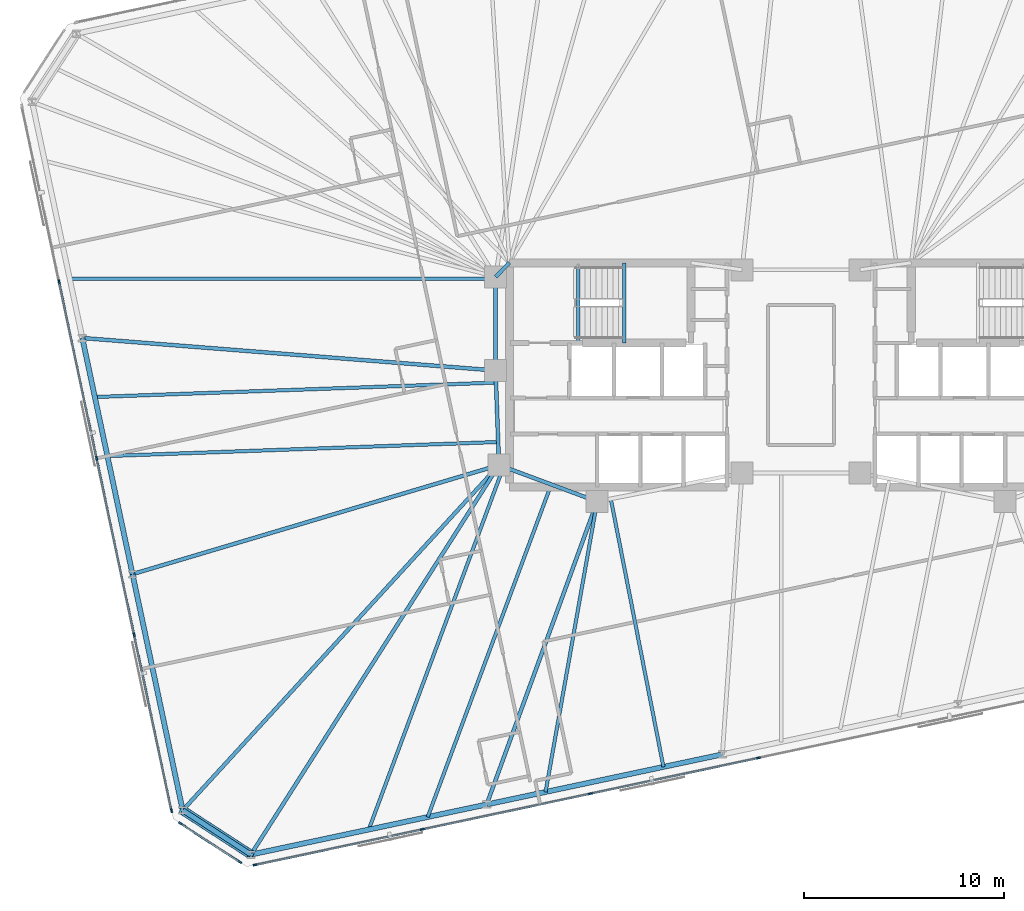
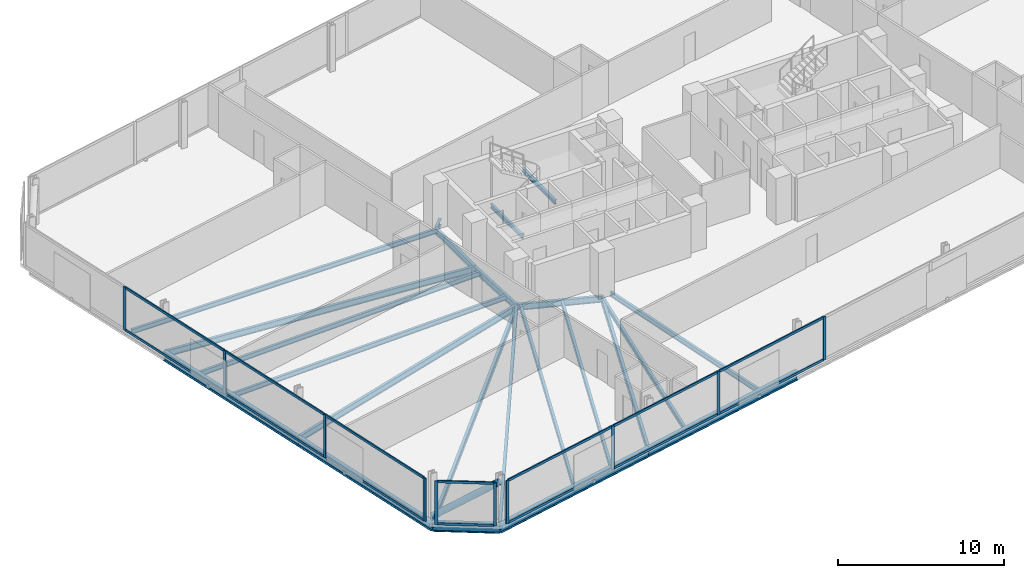
# One storey, part 6 of 19: 25 members, 23 beams, 3 elements without a shape of their own.
"""IFC4 building model written with IfcOpenShell, lengths in metres."""

from ifc_helpers import new_model, si_unit, direction, frame, origin, origin_2d, place, context, subcontext, project, spatial, rectangle, hollow_circle, i_section, extrude, material, material_profile, profile_set, type_object, element, aggregate, save


model = new_model("IFC4")

# Units and contexts
model_context = context("Model", 3, precision=1e-05, world=origin(), true_north=direction((0.0, 1.0)))
body_context = subcontext(model_context, "Body", "Model", "MODEL_VIEW")
ifc_project = project(units=[si_unit("LENGTHUNIT", "METRE"), si_unit("AREAUNIT", "SQUARE_METRE"), si_unit("VOLUMEUNIT", "CUBIC_METRE"), si_unit("PLANEANGLEUNIT", "RADIAN"), si_unit("MASSUNIT", "GRAM", prefix="KILO")], contexts=[model_context])

# Site, building, storey
site_placement = place(None, origin())
site = spatial("IfcSite", under=ifc_project, at=site_placement, CompositionType="ELEMENT")
building_placement = place(site_placement, origin())
building = spatial("IfcBuilding", under=site, at=building_placement, Name="Menara Jurai Vektor", CompositionType="ELEMENT")
storey_placement = place(building_placement, frame((0.0, 0.0, 151.39990234375)))
storey = spatial("IfcBuildingStorey", under=building, at=storey_placement, Name="L38", CompositionType="ELEMENT", Elevation=151.39990234375)

# Curtain wall, members
ifc_material_1 = material(Name="Anodised Pale Aluminium & Low-E Double Glazing", Category="aluminium")
curtain_wall_type = type_object("IfcCurtainWallType", Name="CW-BLK3", PredefinedType="NOTDEFINED", material=ifc_material_1)
curtain_wall_1_placement = place(storey_placement, origin())
curtain_wall_1 = element("IfcCurtainWall", 1, at=curtain_wall_1_placement, inside=storey, type_object=curtain_wall_type, Name="Unitised Curtain Wall L38 F01", PredefinedType="NOTDEFINED")
ifc_material_2 = material(Name="Anodised Pale Aluminium Mullion", Category="aluminium")
ifc_material_profile_1 = material_profile(ifc_material_2, rectangle(XDim=0.0849609375, YDim=0.205078125, at=origin_2d()), Name="ALU MUL 85x205")
ifc_profile_set_1 = profile_set([ifc_material_profile_1], Name="Anodised Pale Aluminium Mullion")
member_type_1 = type_object("IfcMemberType", Name="CW-BLK3-MUL", PredefinedType="MULLION", material=ifc_profile_set_1)
member_1_placement = place(storey_placement, frame((-27.25244140625, -24.462890625, 0.0), z_axis=(0.0, 0.0, 1.0), x_axis=(-0.207911344156, 0.978147674419, 0.0)))
member_1 = element("IfcMember", 2, at=member_1_placement, type_object=member_type_1, Name="CW-03 mullion 1", PredefinedType="MULLION", context=body_context, shape_type="SweptSolid", body=[
    extrude(rectangle(XDim=0.0849609375, YDim=0.205078125, at=origin_2d()), origin(), (0.0, 0.0, 1.0), 3.175048828125),
])
member_2_placement = place(storey_placement, frame((-18.904296875, -22.6884765625, 0.0), z_axis=(0.0, 0.0, 1.0), x_axis=(-0.207911344156, 0.978147674419, 0.0)))
member_2 = element("IfcMember", 3, at=member_2_placement, type_object=member_type_1, Name="CW-03 mullion 2", PredefinedType="MULLION", context=body_context, shape_type="SweptSolid", body=[
    extrude(rectangle(XDim=0.0849609375, YDim=0.205078125, at=origin_2d()), origin(), (0.0, 0.0, 1.0), 3.175048828125),
])
member_3_placement = place(storey_placement, frame((-10.514404296875, -20.905029296875, 0.0), z_axis=(0.0, 0.0, 1.0), x_axis=(-0.207911344156, 0.978147674419, 0.0)))
member_3 = element("IfcMember", 4, at=member_3_placement, type_object=member_type_1, Name="CW-03 mullion 3", PredefinedType="MULLION", context=body_context, shape_type="SweptSolid", body=[
    extrude(rectangle(XDim=0.0849609375, YDim=0.205078125, at=origin_2d()), origin(), (0.0, 0.0, 1.0), 3.175048828125),
])
member_4_placement = place(storey_placement, frame((-2.124755859375, -19.121826171875, 0.0), z_axis=(0.0, 0.0, 1.0), x_axis=(-0.207911344156, 0.978147674419, 0.0)))
member_4 = element("IfcMember", 5, at=member_4_placement, type_object=member_type_1, Name="CW-03 mullion 4", PredefinedType="MULLION", context=body_context, shape_type="SweptSolid", body=[
    extrude(rectangle(XDim=0.0849609375, YDim=0.205078125, at=origin_2d()), origin(), (0.0, 0.0, 1.0), 3.175048828125),
])

curtain_wall_2_placement = place(storey_placement, origin())
curtain_wall_2 = element("IfcCurtainWall", 6, at=curtain_wall_2_placement, inside=storey, type_object=curtain_wall_type, Name="Unitised Curtain Wall L38 F07", PredefinedType="NOTDEFINED")
member_5_placement = place(storey_placement, frame((-37.041259765625, 4.648193359375, 0.0), z_axis=(0.0, 0.0, 1.0), x_axis=(0.978147883949, 0.20791035839, 0.0)))
member_5 = element("IfcMember", 7, at=member_5_placement, type_object=member_type_1, Name="CW-03 mullion 2", PredefinedType="MULLION", context=body_context, shape_type="SweptSolid", body=[
    extrude(rectangle(XDim=0.0849609375, YDim=0.205078125, at=origin_2d()), origin(), (0.0, 0.0, 1.0), 3.175048828125),
])
member_6_placement = place(storey_placement, frame((-35.16796875, -4.1650390625, 0.0), z_axis=(0.0, 0.0, 1.0), x_axis=(0.978147883949, 0.20791035839, 0.0)))
member_6 = element("IfcMember", 8, at=member_6_placement, type_object=member_type_1, Name="CW-03 mullion 3", PredefinedType="MULLION", context=body_context, shape_type="SweptSolid", body=[
    extrude(rectangle(XDim=0.0849609375, YDim=0.205078125, at=origin_2d()), origin(), (0.0, 0.0, 1.0), 3.175048828125),
])
member_7_placement = place(storey_placement, frame((-33.294677734375, -12.978271484375, 0.0), z_axis=(0.0, 0.0, 1.0), x_axis=(0.978147883949, 0.20791035839, 0.0)))
member_7 = element("IfcMember", 9, at=member_7_placement, type_object=member_type_1, Name="CW-03 mullion 4", PredefinedType="MULLION", context=body_context, shape_type="SweptSolid", body=[
    extrude(rectangle(XDim=0.0849609375, YDim=0.205078125, at=origin_2d()), origin(), (0.0, 0.0, 1.0), 3.175048828125),
])
member_8_placement = place(storey_placement, frame((-31.43017578125, -21.749755859375, 0.0), z_axis=(0.0, 0.0, 1.0), x_axis=(0.978147883949, 0.20791035839, 0.0)))
member_8 = element("IfcMember", 10, at=member_8_placement, type_object=member_type_1, Name="CW-03 mullion 5", PredefinedType="MULLION", context=body_context, shape_type="SweptSolid", body=[
    extrude(rectangle(XDim=0.0849609375, YDim=0.205078125, at=origin_2d()), origin(), (0.0, 0.0, 1.0), 3.175048828125),
])

curtain_wall_3_placement = place(storey_placement, origin())
curtain_wall_3 = element("IfcCurtainWall", 11, at=curtain_wall_3_placement, inside=storey, type_object=curtain_wall_type, Name="Unitised Curtain Wall L38 F08", PredefinedType="NOTDEFINED")
member_9_placement = place(storey_placement, frame((-30.988037109375, -22.39306640625, 0.0), z_axis=(0.0, 0.0, 1.0), x_axis=(0.544617794346, 0.838684361415, 0.0)))
member_9 = element("IfcMember", 12, at=member_9_placement, type_object=member_type_1, Name="CW-03 mullion 1", PredefinedType="MULLION", context=body_context, shape_type="SweptSolid", body=[
    extrude(rectangle(XDim=0.0849609375, YDim=0.205078125, at=origin_2d()), origin(), (0.0, 0.0, 1.0), 3.175048828125),
])
member_10_placement = place(storey_placement, frame((-28.02001953125, -24.320556640625, 0.0), z_axis=(0.0, 0.0, 1.0), x_axis=(0.544617794346, 0.838684361415, 0.0)))
member_10 = element("IfcMember", 13, at=member_10_placement, type_object=member_type_1, Name="CW-03 mullion 2", PredefinedType="MULLION", context=body_context, shape_type="SweptSolid", body=[
    extrude(rectangle(XDim=0.0849609375, YDim=0.205078125, at=origin_2d()), origin(), (0.0, 0.0, 1.0), 3.175048828125),
])

# Member
ifc_material_3 = material(Name="Anodised Pale Aluminium Transom", Category="aluminium")
ifc_material_profile_2 = material_profile(ifc_material_3, rectangle(XDim=0.0849609375, YDim=0.175048828125, at=origin_2d()), Name="ALU TRN 85x175")
ifc_profile_set_2 = profile_set([ifc_material_profile_2], Name="Anodised Pale Aluminium Transom")
member_type_2 = type_object("IfcMemberType", Name="CW-BLK3-TRN", PredefinedType="USERDEFINED", material=ifc_profile_set_2)
member_11_placement = place(storey_placement, frame((-27.210693359375, -24.4541015625, 0.04248046875), z_axis=(0.978145704369, 0.207920612313, 0.0), x_axis=(-0.207920612313, 0.978145704369, 0.0)))
member_11 = element("IfcMember", 14, at=member_11_placement, type_object=member_type_2, Name="CW-03 transom 1.1", ObjectType="TRANSOM", PredefinedType="USERDEFINED", context=body_context, shape_type="SweptSolid", body=[
    extrude(rectangle(XDim=0.0849609375, YDim=0.175048828125, at=origin_2d()), origin(), (0.0, 0.0, 1.0), 8.449462890625),
])

member_12_placement = place(storey_placement, frame((-27.210693359375, -24.4541015625, 3.132568359375), z_axis=(0.978145704369, 0.207920612313, 0.0), x_axis=(-0.207920612313, 0.978145704369, 0.0)))
member_12 = element("IfcMember", 15, at=member_12_placement, type_object=member_type_2, Name="CW-03 transom 1.2", ObjectType="TRANSOM", PredefinedType="USERDEFINED", context=body_context, shape_type="SweptSolid", body=[
    extrude(rectangle(XDim=0.0849609375, YDim=0.175048828125, at=origin_2d()), origin(), (0.0, 0.0, 1.0), 8.449462890625),
])

member_13_placement = place(storey_placement, frame((-18.862548828125, -22.6796875, 0.04248046875), z_axis=(0.978146500933, 0.207916864907, 0.0), x_axis=(-0.207916864907, 0.978146500933, 0.0)))
member_13 = element("IfcMember", 16, at=member_13_placement, type_object=member_type_2, Name="CW-03 transom 2.1", ObjectType="TRANSOM", PredefinedType="USERDEFINED", context=body_context, shape_type="SweptSolid", body=[
    extrude(rectangle(XDim=0.0849609375, YDim=0.175048828125, at=origin_2d()), origin(), (0.0, 0.0, 1.0), 8.491943359375),
])

member_14_placement = place(storey_placement, frame((-18.862548828125, -22.6796875, 3.132568359375), z_axis=(0.978146500933, 0.207916864907, 0.0), x_axis=(-0.207916864907, 0.978146500933, 0.0)))
member_14 = element("IfcMember", 17, at=member_14_placement, type_object=member_type_2, Name="CW-03 transom 2.2", ObjectType="TRANSOM", PredefinedType="USERDEFINED", context=body_context, shape_type="SweptSolid", body=[
    extrude(rectangle(XDim=0.0849609375, YDim=0.175048828125, at=origin_2d()), origin(), (0.0, 0.0, 1.0), 8.491943359375),
])

member_15_placement = place(storey_placement, frame((-10.472900390625, -20.896240234375, 0.04248046875), z_axis=(0.978147743708, 0.207911018178, 0.0), x_axis=(-0.207911018178, 0.978147743708, 0.0)))
member_15 = element("IfcMember", 18, at=member_15_placement, type_object=member_type_2, Name="CW-03 transom 3.1", ObjectType="TRANSOM", PredefinedType="USERDEFINED", context=body_context, shape_type="SweptSolid", body=[
    extrude(rectangle(XDim=0.0849609375, YDim=0.175048828125, at=origin_2d()), origin(), (0.0, 0.0, 1.0), 8.4921875),
])

member_16_placement = place(storey_placement, frame((-10.472900390625, -20.896240234375, 3.132568359375), z_axis=(0.978147743708, 0.207911018178, 0.0), x_axis=(-0.207911018178, 0.978147743708, 0.0)))
member_16 = element("IfcMember", 19, at=member_16_placement, type_object=member_type_2, Name="CW-03 transom 3.2", ObjectType="TRANSOM", PredefinedType="USERDEFINED", context=body_context, shape_type="SweptSolid", body=[
    extrude(rectangle(XDim=0.0849609375, YDim=0.175048828125, at=origin_2d()), origin(), (0.0, 0.0, 1.0), 8.4921875),
])

aggregate(curtain_wall_1, [member_1, member_2, member_3, member_4, member_11, member_12, member_13, member_14, member_15, member_16])

member_17_placement = place(storey_placement, frame((-37.032470703125, 4.6064453125, 0.04248046875), z_axis=(0.207922224243, -0.978145361726, 0.0), x_axis=(0.978145361726, 0.207922224243, 0.0)))
member_17 = element("IfcMember", 20, at=member_17_placement, type_object=member_type_2, Name="CW-03 transom 2.1", ObjectType="TRANSOM", PredefinedType="USERDEFINED", context=body_context, shape_type="SweptSolid", body=[
    extrude(rectangle(XDim=0.0849609375, YDim=0.175048828125, at=origin_2d()), origin(), (0.0, 0.0, 1.0), 8.925048828125),
])

member_18_placement = place(storey_placement, frame((-37.032470703125, 4.6064453125, 3.132568359375), z_axis=(0.207922224243, -0.978145361726, 0.0), x_axis=(0.978145361726, 0.207922224243, 0.0)))
member_18 = element("IfcMember", 21, at=member_18_placement, type_object=member_type_2, Name="CW-03 transom 2.2", ObjectType="TRANSOM", PredefinedType="USERDEFINED", context=body_context, shape_type="SweptSolid", body=[
    extrude(rectangle(XDim=0.0849609375, YDim=0.175048828125, at=origin_2d()), origin(), (0.0, 0.0, 1.0), 8.925048828125),
])

member_19_placement = place(storey_placement, frame((-35.1591796875, -4.20654296875, 0.04248046875), z_axis=(0.207922224243, -0.978145361726, 0.0), x_axis=(0.978145361726, 0.207922224243, 0.0)))
member_19 = element("IfcMember", 22, at=member_19_placement, type_object=member_type_2, Name="CW-03 transom 3.1", ObjectType="TRANSOM", PredefinedType="USERDEFINED", context=body_context, shape_type="SweptSolid", body=[
    extrude(rectangle(XDim=0.0849609375, YDim=0.175048828125, at=origin_2d()), origin(), (0.0, 0.0, 1.0), 8.925048828125),
])

member_20_placement = place(storey_placement, frame((-35.1591796875, -4.20654296875, 3.132568359375), z_axis=(0.207922224243, -0.978145361726, 0.0), x_axis=(0.978145361726, 0.207922224243, 0.0)))
member_20 = element("IfcMember", 23, at=member_20_placement, type_object=member_type_2, Name="CW-03 transom 3.2", ObjectType="TRANSOM", PredefinedType="USERDEFINED", context=body_context, shape_type="SweptSolid", body=[
    extrude(rectangle(XDim=0.0849609375, YDim=0.175048828125, at=origin_2d()), origin(), (0.0, 0.0, 1.0), 8.925048828125),
])

member_21_placement = place(storey_placement, frame((-33.285888671875, -13.019775390625, 0.04248046875), z_axis=(0.207925814542, -0.978144598537, 0.0), x_axis=(0.978144598537, 0.207925814542, 0.0)))
member_21 = element("IfcMember", 24, at=member_21_placement, type_object=member_type_2, Name="CW-03 transom 4.1", ObjectType="TRANSOM", PredefinedType="USERDEFINED", context=body_context, shape_type="SweptSolid", body=[
    extrude(rectangle(XDim=0.0849609375, YDim=0.175048828125, at=origin_2d()), origin(), (0.0, 0.0, 1.0), 8.882568359375),
])

member_22_placement = place(storey_placement, frame((-33.285888671875, -13.019775390625, 3.132568359375), z_axis=(0.207925814542, -0.978144598537, 0.0), x_axis=(0.978144598537, 0.207925814542, 0.0)))
member_22 = element("IfcMember", 25, at=member_22_placement, type_object=member_type_2, Name="CW-03 transom 4.2", ObjectType="TRANSOM", PredefinedType="USERDEFINED", context=body_context, shape_type="SweptSolid", body=[
    extrude(rectangle(XDim=0.0849609375, YDim=0.175048828125, at=origin_2d()), origin(), (0.0, 0.0, 1.0), 8.882568359375),
])

aggregate(curtain_wall_2, [member_5, member_6, member_7, member_8, member_17, member_18, member_19, member_20, member_21, member_22])

member_23_placement = place(storey_placement, frame((-30.952392578125, -22.416259765625, 0.04248046875), z_axis=(0.83867770631, -0.54462804274, 0.0), x_axis=(0.54462804274, 0.83867770631, 0.0)))
member_23 = element("IfcMember", 26, at=member_23_placement, type_object=member_type_2, Name="CW-03 transom 1.1", ObjectType="TRANSOM", PredefinedType="USERDEFINED", context=body_context, shape_type="SweptSolid", body=[
    extrude(rectangle(XDim=0.0849609375, YDim=0.175048828125, at=origin_2d()), origin(), (0.0, 0.0, 1.0), 3.453857421875),
])

member_24_placement = place(storey_placement, frame((-30.952392578125, -22.416259765625, 3.132568359375), z_axis=(0.83867770631, -0.54462804274, 0.0), x_axis=(0.54462804274, 0.83867770631, 0.0)))
member_24 = element("IfcMember", 27, at=member_24_placement, type_object=member_type_2, Name="CW-03 transom 1.2", ObjectType="TRANSOM", PredefinedType="USERDEFINED", context=body_context, shape_type="SweptSolid", body=[
    extrude(rectangle(XDim=0.0849609375, YDim=0.175048828125, at=origin_2d()), origin(), (0.0, 0.0, 1.0), 3.453857421875),
])

aggregate(curtain_wall_3, [member_9, member_10, member_23, member_24])

# Beams
ifc_material_4 = material(Name="Steel S355", Category="steel")
ifc_material_profile_3 = material_profile(ifc_material_4, i_section(OverallWidth=0.19091796875, OverallDepth=0.4599609375, WebThickness=0.010009765625, FlangeThickness=0.01611328125, FilletRadius=0.010009765625, at=origin_2d()), Name="UKB 457x191x82")
ifc_profile_set_3 = profile_set([ifc_material_profile_3], Name="Steel S355")
beam_type_1 = type_object("IfcBeamType", Name="STR-BM-457", PredefinedType="BEAM", material=ifc_profile_set_3)
beam_1_placement = place(storey_placement, frame((-15.25, 4.89990234375, -0.454833984375), z_axis=(0.701871936926, 0.712303154672, 0.0), x_axis=(-0.712303154672, 0.701871936926, 0.0)))
element("IfcBeam", 28, at=beam_1_placement, inside=storey, type_object=beam_type_1, Name="Core Ring Header Girder L38-CHW-N1", PredefinedType="BEAM", context=body_context, shape_type="SweptSolid", body=[
    extrude(i_section(OverallWidth=0.19091796875, OverallDepth=0.4599609375, WebThickness=0.010009765625, FlangeThickness=0.01611328125, FilletRadius=0.010009765625, at=origin_2d()), origin(), (0.0, 0.0, 1.0), 0.98291015625),
])
beam_2_placement = place(storey_placement, frame((-15.25, 0.219970703125, -0.454833984375), z_axis=(0.0, 1.0, 0.0), x_axis=(-1.0, 0.0, 0.0)))
element("IfcBeam", 29, at=beam_2_placement, inside=storey, type_object=beam_type_1, Name="Core Ring Header Girder L38-CHW-W1", PredefinedType="BEAM", context=body_context, shape_type="SweptSolid", body=[
    extrude(i_section(OverallWidth=0.19091796875, OverallDepth=0.4599609375, WebThickness=0.010009765625, FlangeThickness=0.01611328125, FilletRadius=0.010009765625, at=origin_2d()), origin(), (0.0, 0.0, 1.0), 4.679931640625),
])
beam_3_placement = place(storey_placement, frame((-15.080078125, -4.5, -0.454833984375), z_axis=(-0.035977314146, 0.999352606874, 0.0), x_axis=(-0.999352606874, -0.035977314146, 0.0)))
element("IfcBeam", 30, at=beam_3_placement, inside=storey, type_object=beam_type_1, Name="Core Ring Header Girder L38-CHW-W2", PredefinedType="BEAM", context=body_context, shape_type="SweptSolid", body=[
    extrude(i_section(OverallWidth=0.19091796875, OverallDepth=0.4599609375, WebThickness=0.010009765625, FlangeThickness=0.01611328125, FilletRadius=0.010009765625, at=origin_2d()), origin(), (0.0, 0.0, 1.0), 4.72314453125),
])
beam_4_placement = place(storey_placement, frame((-15.080078125, -4.5, -0.454833984375), z_axis=(0.937424400887, -0.348188874925, 0.0), x_axis=(0.348188874925, 0.937424400887, 0.0)))
element("IfcBeam", 31, at=beam_4_placement, inside=storey, type_object=beam_type_1, Name="Core Ring Header Girder L38-CHW-S1", PredefinedType="BEAM", context=body_context, shape_type="SweptSolid", body=[
    extrude(i_section(OverallWidth=0.19091796875, OverallDepth=0.4599609375, WebThickness=0.010009765625, FlangeThickness=0.01611328125, FilletRadius=0.010009765625, at=origin_2d()), origin(), (0.0, 0.0, 1.0), 5.227294921875),
])
beam_5_placement = place(storey_placement, frame((-27.46484375, -23.94580078125, -0.454833984375), z_axis=(0.537189280991, 0.843461721946, 0.0), x_axis=(-0.843461721946, 0.537189280991, 0.0)))
element("IfcBeam", 32, at=beam_5_placement, inside=storey, type_object=beam_type_1, Name="Radial Floor Girder L38-S1", PredefinedType="BEAM", context=body_context, shape_type="SweptSolid", body=[
    extrude(i_section(OverallWidth=0.19091796875, OverallDepth=0.4599609375, WebThickness=0.010009765625, FlangeThickness=0.01611328125, FilletRadius=0.010009765625, at=origin_2d()), origin(), (0.0, 0.0, 1.0), 23.0546875),
])
beam_6_placement = place(storey_placement, frame((-15.696533203125, -21.4443359375, -0.454833984375), z_axis=(0.342668294367, 0.939456459893, 0.0), x_axis=(-0.939456459893, 0.342668294367, 0.0)))
element("IfcBeam", 33, at=beam_6_placement, inside=storey, type_object=beam_type_1, Name="Radial Floor Girder L38-S2", PredefinedType="BEAM", context=body_context, shape_type="SweptSolid", body=[
    extrude(i_section(OverallWidth=0.19091796875, OverallDepth=0.4599609375, WebThickness=0.010009765625, FlangeThickness=0.01611328125, FilletRadius=0.010009765625, at=origin_2d()), origin(), (0.0, 0.0, 1.0), 16.098876953125),
])
beam_7_placement = place(storey_placement, frame((-35.8828125, 1.843505859375, -0.454833984375), z_axis=(0.996918476483, -0.078444574364, 0.0), x_axis=(0.078444574364, 0.996918476483, 0.0)))
element("IfcBeam", 34, at=beam_7_placement, inside=storey, type_object=beam_type_1, Name="Radial Floor Girder L38-W2", PredefinedType="BEAM", context=body_context, shape_type="SweptSolid", body=[
    extrude(i_section(OverallWidth=0.19091796875, OverallDepth=0.4599609375, WebThickness=0.010009765625, FlangeThickness=0.01611328125, FilletRadius=0.010009765625, at=origin_2d()), origin(), (0.0, 0.0, 1.0), 20.696533203125),
])
beam_8_placement = place(storey_placement, frame((-33.377197265625, -9.94482421875, -0.454833984375), z_axis=(0.958462775407, 0.285217650505, 0.0), x_axis=(-0.285217650505, 0.958462775407, 0.0)))
element("IfcBeam", 35, at=beam_8_placement, inside=storey, type_object=beam_type_1, Name="Radial Floor Girder L38-W3", PredefinedType="BEAM", context=body_context, shape_type="SweptSolid", body=[
    extrude(i_section(OverallWidth=0.19091796875, OverallDepth=0.4599609375, WebThickness=0.010009765625, FlangeThickness=0.01611328125, FilletRadius=0.010009765625, at=origin_2d()), origin(), (0.0, 0.0, 1.0), 19.090087890625),
])
beam_9_placement = place(storey_placement, frame((-30.871337890625, -21.7333984375, -0.454833984375), z_axis=(0.675584615662, 0.737282460852, 0.0), x_axis=(-0.737282460852, 0.675584615662, 0.0)))
element("IfcBeam", 36, at=beam_9_placement, inside=storey, type_object=beam_type_1, Name="Radial Floor Girder L38-W4", PredefinedType="BEAM", context=body_context, shape_type="SweptSolid", body=[
    extrude(i_section(OverallWidth=0.19091796875, OverallDepth=0.4599609375, WebThickness=0.010009765625, FlangeThickness=0.01611328125, FilletRadius=0.010009765625, at=origin_2d()), origin(), (0.0, 0.0, 1.0), 23.374267578125),
])

# Member
ifc_material_5 = material(Name="Steel S460", Category="steel")
ifc_material_profile_4 = material_profile(ifc_material_5, hollow_circle(Radius=0.228515625, WallThickness=0.01611328125, at=origin_2d()), Name="CHS 457x16")
ifc_profile_set_4 = profile_set([ifc_material_profile_4], Name="Steel S460")
member_type_3 = type_object("IfcMemberType", Name="STR-BR-457", PredefinedType="BRACE", material=ifc_profile_set_4)
member_25_placement = place(storey_placement, frame((-30.871337890625, -21.7333984375, 0.150146484375), z_axis=(0.700402825662, -0.454887866849, 0.5500117366), x_axis=(0.544673525608, 0.838648168484, 0.0)))
element("IfcMember", 37, at=member_25_placement, inside=storey, type_object=member_type_3, Name="Exoskeleton Corner Brace L38-4", PredefinedType="BRACE", context=body_context, shape_type="SweptSolid", body=[
    extrude(hollow_circle(Radius=0.228515625, WallThickness=0.01611328125, at=origin_2d()), origin(), (0.0, 0.0, 1.0), 4.863525390625),
])

# Beams
ifc_material_profile_5 = material_profile(ifc_material_4, i_section(OverallWidth=0.172119140625, OverallDepth=0.35498046875, WebThickness=0.007080078125, FlangeThickness=0.011962890625, FilletRadius=0.010009765625, at=origin_2d()), Name="UKB 356x171x51")
ifc_profile_set_5 = profile_set([ifc_material_profile_5], Name="Steel S355")
beam_type_2 = type_object("IfcBeamType", Name="STR-JS-356", PredefinedType="JOIST", material=ifc_profile_set_5)
beam_10_placement = place(storey_placement, frame((-21.580810546875, -22.695068359375, -0.40234375), z_axis=(0.348190019635, 0.937423975705, 0.0), x_axis=(-0.937423975705, 0.348190019635, 0.0)))
element("IfcBeam", 38, at=beam_10_placement, inside=storey, type_object=beam_type_2, Name="Radial Secondary Floor Joist L38-JS01", PredefinedType="JOIST", context=body_context, shape_type="SweptSolid", body=[
    extrude(i_section(OverallWidth=0.172119140625, OverallDepth=0.35498046875, WebThickness=0.007080078125, FlangeThickness=0.011962890625, FilletRadius=0.010009765625, at=origin_2d()), origin(), (0.0, 0.0, 1.0), 19.320068359375),
])
beam_11_placement = place(storey_placement, frame((-18.638671875, -22.069580078125, -0.40234375), z_axis=(0.348193798412, 0.937422572135, 0.0), x_axis=(-0.937422572135, 0.348193798412, 0.0)))
element("IfcBeam", 39, at=beam_11_placement, inside=storey, type_object=beam_type_2, Name="Radial Secondary Floor Joist L38-JS02", PredefinedType="JOIST", context=body_context, shape_type="SweptSolid", body=[
    extrude(i_section(OverallWidth=0.172119140625, OverallDepth=0.35498046875, WebThickness=0.007080078125, FlangeThickness=0.011962890625, FilletRadius=0.010009765625, at=origin_2d()), origin(), (0.0, 0.0, 1.0), 17.709228515625),
])
beam_12_placement = place(storey_placement, frame((-12.75439453125, -20.819091796875, -0.40234375), z_axis=(0.174826548521, 0.984599247375, 0.0), x_axis=(-0.984599247375, 0.174826548521, 0.0)))
element("IfcBeam", 40, at=beam_12_placement, inside=storey, type_object=beam_type_2, Name="Radial Secondary Floor Joist L38-JS03", PredefinedType="JOIST", context=body_context, shape_type="SweptSolid", body=[
    extrude(i_section(OverallWidth=0.172119140625, OverallDepth=0.35498046875, WebThickness=0.007080078125, FlangeThickness=0.011962890625, FilletRadius=0.010009765625, at=origin_2d()), origin(), (0.0, 0.0, 1.0), 14.725830078125),
])
beam_13_placement = place(storey_placement, frame((-6.870361328125, -19.568359375, -0.40234375), z_axis=(-0.19273083746, 0.981251662058, 0.0), x_axis=(-0.981251662058, -0.19273083746, 0.0)))
element("IfcBeam", 41, at=beam_13_placement, inside=storey, type_object=beam_type_2, Name="Radial Secondary Floor Joist L38-JS04", PredefinedType="JOIST", context=body_context, shape_type="SweptSolid", body=[
    extrude(i_section(OverallWidth=0.172119140625, OverallDepth=0.35498046875, WebThickness=0.007080078125, FlangeThickness=0.011962890625, FilletRadius=0.010009765625, at=origin_2d()), origin(), (0.0, 0.0, 1.0), 13.6376953125),
])
beam_14_placement = place(storey_placement, frame((-36.50927734375, 4.790771484375, -0.40234375), z_axis=(1.0, 0.0, 0.0), x_axis=(0.0, 1.0, 0.0)))
element("IfcBeam", 42, at=beam_14_placement, inside=storey, type_object=beam_type_2, Name="Radial Secondary Floor Joist L38-JS30", PredefinedType="JOIST", context=body_context, shape_type="SweptSolid", body=[
    extrude(i_section(OverallWidth=0.172119140625, OverallDepth=0.35498046875, WebThickness=0.007080078125, FlangeThickness=0.011962890625, FilletRadius=0.010009765625, at=origin_2d()), origin(), (0.0, 0.0, 1.0), 21.25927734375),
])
beam_15_placement = place(storey_placement, frame((-35.25634765625, -1.103515625, -0.40234375), z_axis=(0.999351866858, 0.035997863919, 0.0), x_axis=(-0.035997863919, 0.999351866858, 0.0)))
element("IfcBeam", 43, at=beam_15_placement, inside=storey, type_object=beam_type_2, Name="Radial Secondary Floor Joist L38-JS31", PredefinedType="JOIST", context=body_context, shape_type="SweptSolid", body=[
    extrude(i_section(OverallWidth=0.172119140625, OverallDepth=0.35498046875, WebThickness=0.007080078125, FlangeThickness=0.011962890625, FilletRadius=0.010009765625, at=origin_2d()), origin(), (0.0, 0.0, 1.0), 20.041015625),
])
beam_16_placement = place(storey_placement, frame((-34.6298828125, -4.05078125, -0.40234375), z_axis=(0.999352006705, 0.035993981369, 0.0), x_axis=(-0.035993981369, 0.999352006705, 0.0)))
element("IfcBeam", 44, at=beam_16_placement, inside=storey, type_object=beam_type_2, Name="Radial Secondary Floor Joist L38-JS32", PredefinedType="JOIST", context=body_context, shape_type="SweptSolid", body=[
    extrude(i_section(OverallWidth=0.172119140625, OverallDepth=0.35498046875, WebThickness=0.007080078125, FlangeThickness=0.011962890625, FilletRadius=0.010009765625, at=origin_2d()), origin(), (0.0, 0.0, 1.0), 19.52099609375),
])
ifc_material_profile_6 = material_profile(ifc_material_4, i_section(OverallWidth=0.1650390625, OverallDepth=0.302978515625, WebThickness=0.006103515625, FlangeThickness=0.010009765625, FilletRadius=0.009033203125, at=origin_2d()), Name="UKB 305x165x40")
ifc_profile_set_6 = profile_set([ifc_material_profile_6], Name="Steel S355")
beam_type_3 = type_object("IfcBeamType", Name="STR-LN-305", PredefinedType="LINTEL", material=ifc_profile_set_6)
beam_17_placement = place(storey_placement, frame((-11.1201171875, 1.60009765625, -0.37646484375), z_axis=(0.0, 1.0, 0.0), x_axis=(-1.0, 0.0, 0.0)))
element("IfcBeam", 45, at=beam_17_placement, inside=storey, type_object=beam_type_3, Name="Stair Well Floor Trimmer ST1 L38", PredefinedType="LINTEL", context=body_context, shape_type="SweptSolid", body=[
    extrude(i_section(OverallWidth=0.1650390625, OverallDepth=0.302978515625, WebThickness=0.006103515625, FlangeThickness=0.010009765625, FilletRadius=0.009033203125, at=origin_2d()), origin(), (0.0, 0.0, 1.0), 3.81982421875),
])
beam_18_placement = place(storey_placement, frame((-8.830078125, 1.60009765625, 1.3486328125), z_axis=(0.0, 1.0, 0.0), x_axis=(-1.0, 0.0, 0.0)))
element("IfcBeam", 46, at=beam_18_placement, inside=storey, type_object=beam_type_3, Name="Stair Half-Landing Nosing Trimmer ST1-1 L38", PredefinedType="LINTEL", context=body_context, shape_type="SweptSolid", body=[
    extrude(i_section(OverallWidth=0.1650390625, OverallDepth=0.302978515625, WebThickness=0.006103515625, FlangeThickness=0.010009765625, FilletRadius=0.009033203125, at=origin_2d()), origin(), (0.0, 0.0, 1.0), 4.0),
])
ifc_material_profile_7 = material_profile(ifc_material_5, i_section(OverallWidth=0.256103515625, OverallDepth=0.693115234375, WebThickness=0.013916015625, FlangeThickness=0.02392578125, FilletRadius=0.014892578125, at=origin_2d()), Name="UKB 686x254x170")
ifc_profile_set_7 = profile_set([ifc_material_profile_7], Name="Steel S460")
beam_type_4 = type_object("IfcBeamType", Name="STR-SP-686", PredefinedType="SPANDREL", material=ifc_profile_set_7)
beam_19_placement = place(storey_placement, frame((-27.46484375, -23.94580078125, -0.5712890625), z_axis=(0.978147039247, 0.207914332389, 0.0), x_axis=(-0.207914332389, 0.978147039247, 0.0)))
element("IfcBeam", 47, at=beam_19_placement, inside=storey, type_object=beam_type_4, Name="Exoskeleton Spandrel Beam L38-01", PredefinedType="SPANDREL", context=body_context, shape_type="SweptSolid", body=[
    extrude(i_section(OverallWidth=0.256103515625, OverallDepth=0.693115234375, WebThickness=0.013916015625, FlangeThickness=0.02392578125, FilletRadius=0.014892578125, at=origin_2d()), origin(), (0.0, 0.0, 1.0), 12.03125),
])
beam_20_placement = place(storey_placement, frame((-15.696533203125, -21.4443359375, -0.5712890625), z_axis=(0.97814616202, 0.207918459318, 0.0), x_axis=(-0.207918459318, 0.97814616202, 0.0)))
element("IfcBeam", 48, at=beam_20_placement, inside=storey, type_object=beam_type_4, Name="Exoskeleton Spandrel Beam L38-02", PredefinedType="SPANDREL", context=body_context, shape_type="SweptSolid", body=[
    extrude(i_section(OverallWidth=0.256103515625, OverallDepth=0.693115234375, WebThickness=0.013916015625, FlangeThickness=0.02392578125, FilletRadius=0.014892578125, at=origin_2d()), origin(), (0.0, 0.0, 1.0), 12.031005859375),
])
beam_21_placement = place(storey_placement, frame((-35.8828125, 1.843505859375, -0.5712890625), z_axis=(0.207906000604, -0.978148810209, 0.0), x_axis=(0.978148810209, 0.207906000604, 0.0)))
element("IfcBeam", 49, at=beam_21_placement, inside=storey, type_object=beam_type_4, Name="Exoskeleton Spandrel Beam L38-18", PredefinedType="SPANDREL", context=body_context, shape_type="SweptSolid", body=[
    extrude(i_section(OverallWidth=0.256103515625, OverallDepth=0.693115234375, WebThickness=0.013916015625, FlangeThickness=0.02392578125, FilletRadius=0.014892578125, at=origin_2d()), origin(), (0.0, 0.0, 1.0), 12.0517578125),
])
beam_22_placement = place(storey_placement, frame((-33.377197265625, -9.94482421875, -0.5712890625), z_axis=(0.207921262698, -0.978145566119, 0.0), x_axis=(0.978145566119, 0.207921262698, 0.0)))
element("IfcBeam", 50, at=beam_22_placement, inside=storey, type_object=beam_type_4, Name="Exoskeleton Spandrel Beam L38-19", PredefinedType="SPANDREL", context=body_context, shape_type="SweptSolid", body=[
    extrude(i_section(OverallWidth=0.256103515625, OverallDepth=0.693115234375, WebThickness=0.013916015625, FlangeThickness=0.02392578125, FilletRadius=0.014892578125, at=origin_2d()), origin(), (0.0, 0.0, 1.0), 12.052001953125),
])
beam_23_placement = place(storey_placement, frame((-30.871337890625, -21.7333984375, -0.5712890625), z_axis=(0.838648168484, -0.544673525608, 0.0), x_axis=(0.544673525608, 0.838648168484, 0.0)))
element("IfcBeam", 51, at=beam_23_placement, inside=storey, type_object=beam_type_4, Name="Exoskeleton Spandrel Beam L38-20", PredefinedType="SPANDREL", context=body_context, shape_type="SweptSolid", body=[
    extrude(i_section(OverallWidth=0.256103515625, OverallDepth=0.693115234375, WebThickness=0.013916015625, FlangeThickness=0.02392578125, FilletRadius=0.014892578125, at=origin_2d()), origin(), (0.0, 0.0, 1.0), 4.061767578125),
])

save(model, "model.ifc")
